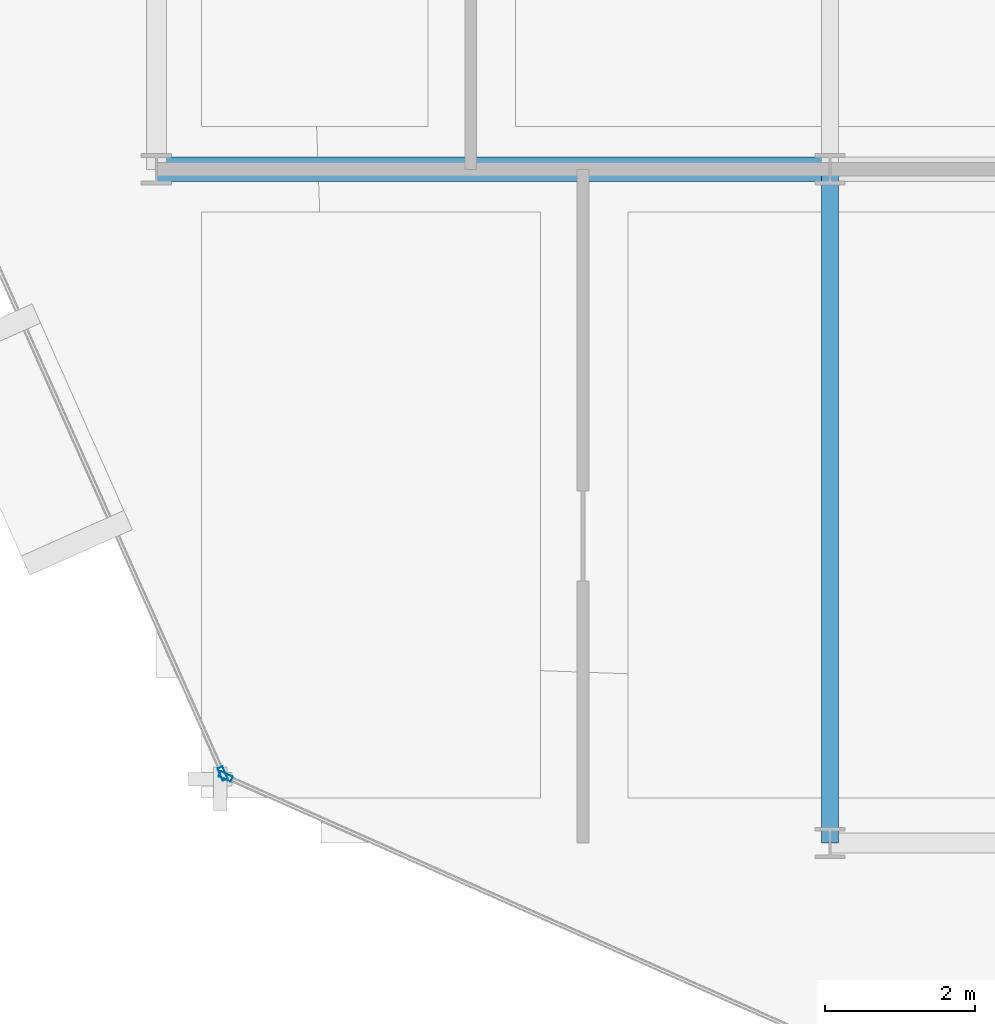
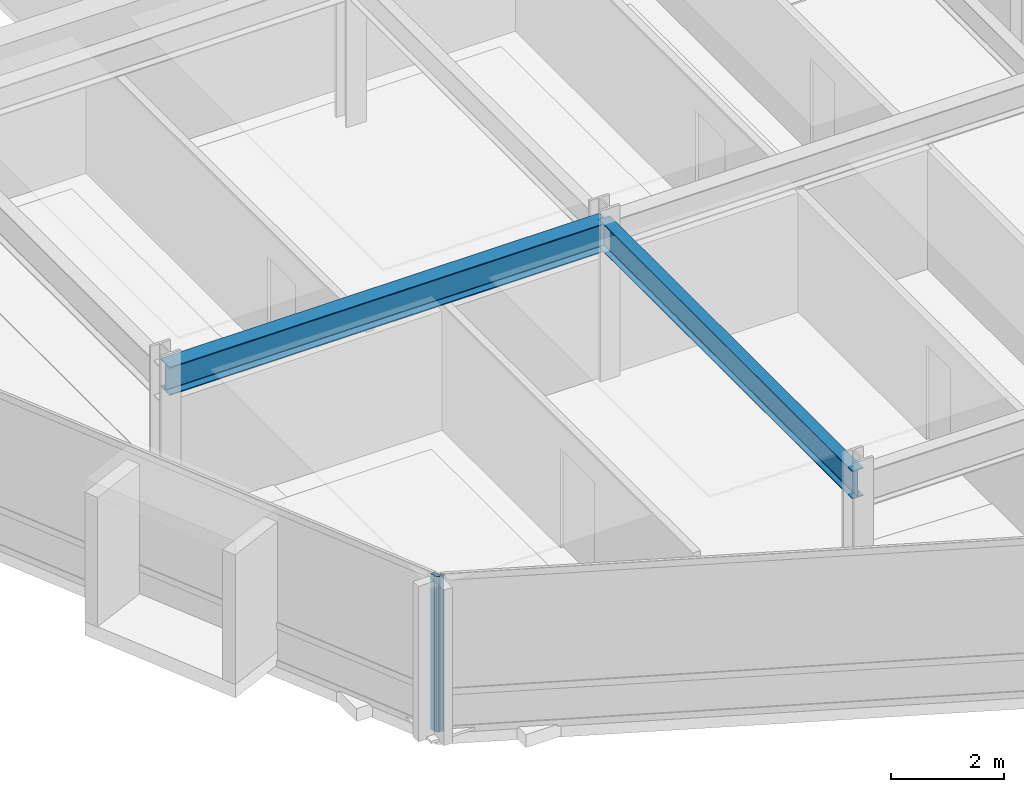
# One storey, part 2 of 27: 2 beams, 2 members, 2 elements without a shape of their own.
"""IFC4 building model written with IfcOpenShell, lengths in metres."""

from ifc_helpers import new_model, si_unit, direction, frame, origin, origin_2d, place, context, subcontext, project, spatial, hollow_rectangle, i_section, extrude, material, layer, layer_set, material_profile, profile_set, type_object, element, aggregate, save


model = new_model("IFC4")

# Units and contexts
model_context = context("Model", 3, precision=1e-05, world=origin(), true_north=direction((0.0, 1.0)))
body_context = subcontext(model_context, "Body", "Model", "MODEL_VIEW")
ifc_project = project(units=[si_unit("LENGTHUNIT", "METRE"), si_unit("AREAUNIT", "SQUARE_METRE"), si_unit("VOLUMEUNIT", "CUBIC_METRE"), si_unit("PLANEANGLEUNIT", "RADIAN"), si_unit("MASSUNIT", "GRAM", prefix="KILO")], contexts=[model_context])

# Site, building, storey
site_placement = place(None, origin())
site = spatial("IfcSite", under=ifc_project, at=site_placement, CompositionType="ELEMENT")
building_placement = place(site_placement, origin())
building = spatial("IfcBuilding", under=site, at=building_placement, Name="Solvaryn Broadcast Tower", CompositionType="ELEMENT")
storey_placement = place(building_placement, frame((0.0, 0.0, 192.699951171875)))
storey = spatial("IfcBuildingStorey", under=building, at=storey_placement, Name="L48", CompositionType="ELEMENT", Elevation=192.699951171875)

# Beams
ifc_material_1 = material(Name="Steel ASTM A992 Grade 50", Category="steel")
ifc_material_profile_1 = material_profile(ifc_material_1, i_section(OverallWidth=0.323974609375, OverallDepth=0.611083984375, WebThickness=0.0126953125, FlangeThickness=0.01904296875, FilletRadius=0.014892578125, at=origin_2d()))
ifc_profile_set_1 = profile_set([ifc_material_profile_1], Name="Steel ASTM A992 Grade 50")
beam_type_1 = type_object("IfcBeamType", Name="BM-B1-W24X104", PredefinedType="BEAM", material=ifc_profile_set_1)
beam_1_placement = place(storey_placement, frame((9.0, 18.0, 3.064453125), z_axis=(1.0, 0.0, 0.0), x_axis=(0.0, 1.0, 0.0)))
element("IfcBeam", 1, at=beam_1_placement, inside=storey, type_object=beam_type_1, Name="L48 Primary Beam X (9-18 @ Y=18)", PredefinedType="BEAM", context=body_context, shape_type="SweptSolid", body=[
    extrude(i_section(OverallWidth=0.323974609375, OverallDepth=0.611083984375, WebThickness=0.0126953125, FlangeThickness=0.01904296875, FilletRadius=0.014892578125, at=origin_2d()), origin(), (0.0, 0.0, 1.0), 9.0),
])
ifc_material_2 = material(Name="Steel ASTM A992 Grade 50", Category="steel")
ifc_material_profile_2 = material_profile(ifc_material_2, i_section(OverallWidth=0.22802734375, OverallDepth=0.60791015625, WebThickness=0.01123046875, FlangeThickness=0.017333984375, FilletRadius=0.014892578125, at=origin_2d()))
ifc_profile_set_2 = profile_set([ifc_material_profile_2], Name="Steel ASTM A992 Grade 50")
beam_type_2 = type_object("IfcBeamType", Name="BM-B2-W24X76", PredefinedType="BEAM", material=ifc_profile_set_2)
beam_2_placement = place(storey_placement, frame((18.0, 9.0, 3.066162109375), z_axis=(0.0, 1.0, 0.0), x_axis=(-1.0, 0.0, 0.0)))
element("IfcBeam", 2, at=beam_2_placement, inside=storey, type_object=beam_type_2, Name="L48 Primary Beam Y (9-18 @ X=18)", PredefinedType="BEAM", context=body_context, shape_type="SweptSolid", body=[
    extrude(i_section(OverallWidth=0.22802734375, OverallDepth=0.60791015625, WebThickness=0.01123046875, FlangeThickness=0.017333984375, FilletRadius=0.014892578125, at=origin_2d()), origin(), (0.0, 0.0, 1.0), 9.0),
])

# Curtain wall, member
ifc_material_3 = material(Name="Aluminium and Terracotta Unitised Curtain Wall", Category="masonry")
ifc_layer = layer(ifc_material_3, 0.199951171875)
ifc_layer_set = layer_set([ifc_layer], Name="CW-SYS2-LOWMID")
curtain_wall_type = type_object("IfcCurtainWallType", Name="CW-SYS2-LOWMID", PredefinedType="NOTDEFINED", material=ifc_layer_set)
curtain_wall_1_placement = place(storey_placement, origin())
curtain_wall_1 = element("IfcCurtainWall", 3, at=curtain_wall_1_placement, inside=storey, type_object=curtain_wall_type, Name="L48 Curtain Wall DR2", PredefinedType="NOTDEFINED")
ifc_material_4 = material(Name="Anodised Aluminium 6063-T6", Category="aluminium")
ifc_material_profile_3 = material_profile(ifc_material_4, hollow_rectangle(XDim=0.074951171875, YDim=0.179931640625, WallThickness=0.00390625, InnerFilletRadius=0.00390625, OuterFilletRadius=0.008056640625, at=origin_2d()))
ifc_profile_set_3 = profile_set([ifc_material_profile_3], Name="Anodised Aluminium 6063-T6")
member_type = type_object("IfcMemberType", Name="CW-MUL-180", PredefinedType="MULLION", material=ifc_profile_set_3)
member_1_placement = place(storey_placement, frame((9.8857421875, 9.925537109375, 0.0), z_axis=(0.0, 0.0, 1.0), x_axis=(0.913916902365, 0.405901337237, 0.0)))
member_1 = element("IfcMember", 4, at=member_1_placement, type_object=member_type, Name="CWS2 mullion 2", PredefinedType="MULLION", context=body_context, shape_type="SweptSolid", body=[
    extrude(hollow_rectangle(XDim=0.074951171875, YDim=0.179931640625, WallThickness=0.00390625, InnerFilletRadius=0.00390625, OuterFilletRadius=0.008056640625, at=origin_2d()), origin(), (0.0, 0.0, 1.0), 3.3701171875),
])
aggregate(curtain_wall_1, [member_1])

curtain_wall_2_placement = place(storey_placement, origin())
curtain_wall_2 = element("IfcCurtainWall", 5, at=curtain_wall_2_placement, inside=storey, type_object=curtain_wall_type, Name="L48 Curtain Wall DR3", PredefinedType="NOTDEFINED")
member_2_placement = place(storey_placement, frame((9.925537109375, 9.8857421875, 0.0), z_axis=(0.0, 0.0, 1.0), x_axis=(0.405901337237, 0.913916902365, 0.0)))
member_2 = element("IfcMember", 6, at=member_2_placement, type_object=member_type, Name="CWS2 mullion 1", PredefinedType="MULLION", context=body_context, shape_type="SweptSolid", body=[
    extrude(hollow_rectangle(XDim=0.074951171875, YDim=0.179931640625, WallThickness=0.00390625, InnerFilletRadius=0.00390625, OuterFilletRadius=0.008056640625, at=origin_2d()), origin(), (0.0, 0.0, 1.0), 3.3701171875),
])
aggregate(curtain_wall_2, [member_2])

save(model, "model.ifc")
